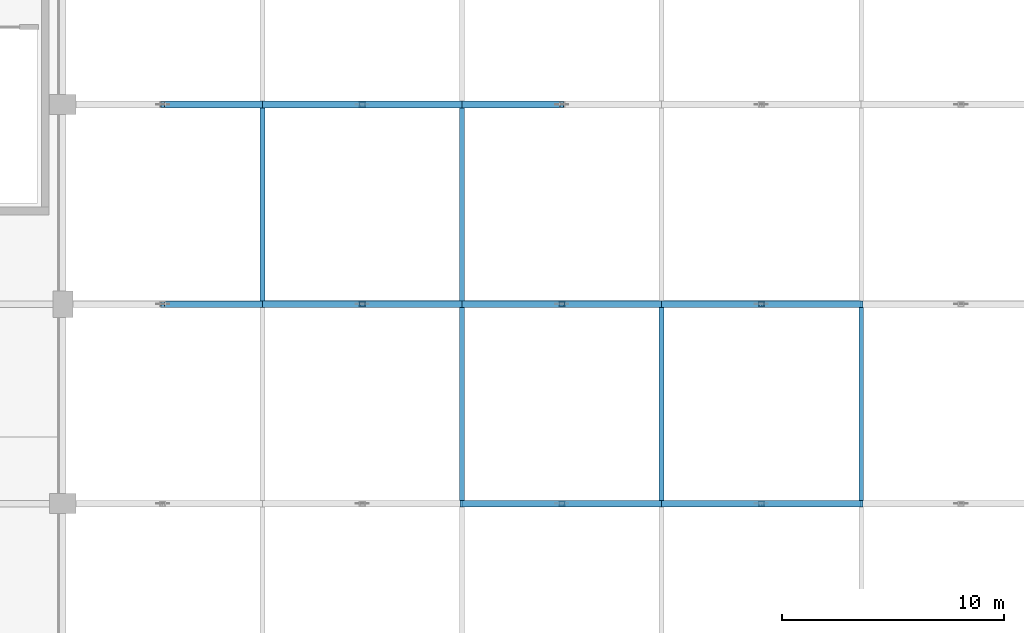
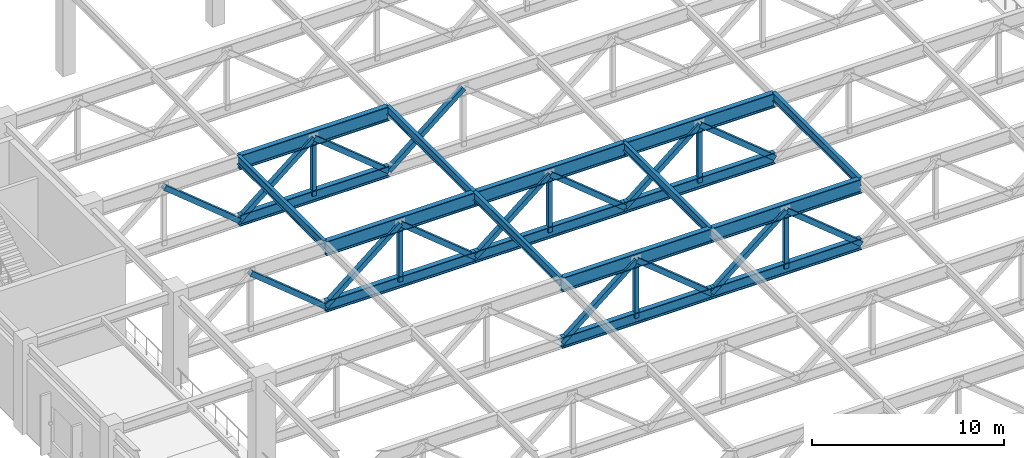
# One storey, part 22 of 223: 21 members, 17 beams.
"""IFC4 building model written with IfcOpenShell, lengths in metres."""

from ifc_helpers import new_model, si_unit, direction, frame, origin, origin_2d, place, context, subcontext, project, spatial, hollow_rectangle, i_section, extrude, material, material_profile, profile_set, type_object, element, save


model = new_model("IFC4")

# Units and contexts
model_context = context("Model", 3, precision=1e-05, world=origin(), true_north=direction((0.0, 1.0)))
body_context = subcontext(model_context, "Body", "Model", "MODEL_VIEW")
ifc_project = project(units=[si_unit("LENGTHUNIT", "METRE"), si_unit("AREAUNIT", "SQUARE_METRE"), si_unit("VOLUMEUNIT", "CUBIC_METRE"), si_unit("PLANEANGLEUNIT", "RADIAN"), si_unit("MASSUNIT", "GRAM", prefix="KILO")], contexts=[model_context])

# Site, building, storey
site_placement = place(None, origin())
site = spatial("IfcSite", under=ifc_project, at=site_placement, CompositionType="ELEMENT")
building_placement = place(site_placement, origin())
building = spatial("IfcBuilding", under=site, at=building_placement, Name="Dornveld Trade and Exhibition Forum", CompositionType="ELEMENT")
storey_placement = place(building_placement, frame((0.0, 0.0, 6.0)))
storey = spatial("IfcBuildingStorey", under=building, at=storey_placement, Name="L01", CompositionType="ELEMENT", Elevation=6.0)

# Beams
ifc_material_1 = material(Name="Steel S355J2", Category="steel")
ifc_material_profile_1 = material_profile(ifc_material_1, i_section(OverallWidth=0.2099609375, OverallDepth=0.550048828125, WebThickness=0.010986328125, FlangeThickness=0.01708984375, FilletRadius=0.02392578125, at=origin_2d()), Name="IPE 550")
ifc_profile_set_1 = profile_set([ifc_material_profile_1], Name="Steel S355J2")
beam_type_1 = type_object("IfcBeamType", Name="BM-SEC-550", PredefinedType="BEAM", material=ifc_profile_set_1)
for number, where, z_axis, x_axis, name in (
    (1, (36.0, 108.0, 5.364990234375), (0.0, 1.0, 0.0), (-1.0, 0.0, 0.0), "Hall 3 secondary deck beam 1382"),
    (2, (45.0, 99.0, 5.364990234375), (0.0, 1.0, 0.0), (-1.0, 0.0, 0.0), "Hall 3 secondary deck beam 1392"),
    (3, (45.0, 108.0, 5.364990234375), (0.0, 1.0, 0.0), (-1.0, 0.0, 0.0), "Hall 3 secondary deck beam 1393"),
    (4, (54.0, 99.0, 5.364990234375), (0.0, 1.0, 0.0), (-1.0, 0.0, 0.0), "Hall 3 secondary deck beam 1403"),
    (5, (63.0, 99.0, 5.364990234375), (0.0, 1.0, 0.0), (-1.0, 0.0, 0.0), "Hall 3 secondary deck beam 1414"),
):
    element("IfcBeam", number, at=place(storey_placement, frame(where, z_axis=z_axis, x_axis=x_axis)), inside=storey, type_object=beam_type_1, Name=name, PredefinedType="BEAM", context=body_context, shape_type="SweptSolid", body=[
        extrude(i_section(OverallWidth=0.2099609375, OverallDepth=0.550048828125, WebThickness=0.010986328125, FlangeThickness=0.01708984375, FilletRadius=0.02392578125, at=origin_2d()), origin(), (0.0, 0.0, 1.0), 9.0),
    ])
ifc_material_2 = material(Name="Steel S355J2", Category="steel")
ifc_material_profile_2 = material_profile(ifc_material_2, i_section(OverallWidth=0.303955078125, OverallDepth=0.716064453125, WebThickness=0.02099609375, FlangeThickness=0.0400390625, FilletRadius=0.027099609375, at=origin_2d()), Name="HEM 700")
ifc_profile_set_2 = profile_set([ifc_material_profile_2], Name="Steel S355J2")
beam_type_2 = type_object("IfcBeamType", Name="BM-TG-BOT700", PredefinedType="USERDEFINED", material=ifc_profile_set_2)
for number, where, z_axis, x_axis, name in (
    (6, (45.0, 99.0, 1.5), (1.0, 0.0, 0.0), (0.0, 1.0, 0.0), "Hall 3 transfer truss 7 bottom chord 3"),
    (7, (54.0, 99.0, 1.5), (1.0, 0.0, 0.0), (0.0, 1.0, 0.0), "Hall 3 transfer truss 7 bottom chord 4"),
    (8, (36.0, 108.0, 1.5), (1.0, 0.0, 0.0), (0.0, 1.0, 0.0), "Hall 3 transfer truss 8 bottom chord 2"),
    (9, (45.0, 108.0, 1.5), (1.0, 0.0, 0.0), (0.0, 1.0, 0.0), "Hall 3 transfer truss 8 bottom chord 3"),
    (10, (54.0, 108.0, 1.5), (1.0, 0.0, 0.0), (0.0, 1.0, 0.0), "Hall 3 transfer truss 8 bottom chord 4"),
    (11, (36.0, 117.0, 1.5), (1.0, 0.0, 0.0), (0.0, 1.0, 0.0), "Hall 3 transfer truss 9 bottom chord 2"),
):
    element("IfcBeam", number, at=place(storey_placement, frame(where, z_axis=z_axis, x_axis=x_axis)), inside=storey, type_object=beam_type_2, Name=name, ObjectType="GIRDER", PredefinedType="USERDEFINED", context=body_context, shape_type="SweptSolid", body=[
        extrude(i_section(OverallWidth=0.303955078125, OverallDepth=0.716064453125, WebThickness=0.02099609375, FlangeThickness=0.0400390625, FilletRadius=0.027099609375, at=origin_2d()), origin(), (0.0, 0.0, 1.0), 9.0),
    ])
ifc_material_3 = material(Name="Steel S355J2", Category="steel")
ifc_material_profile_3 = material_profile(ifc_material_3, i_section(OverallWidth=0.302001953125, OverallDepth=0.909912109375, WebThickness=0.02099609375, FlangeThickness=0.0400390625, FilletRadius=0.030029296875, at=origin_2d()), Name="HEM 900")
ifc_profile_set_3 = profile_set([ifc_material_profile_3], Name="Steel S355J2")
beam_type_3 = type_object("IfcBeamType", Name="BM-TG-TOP900", PredefinedType="USERDEFINED", material=ifc_profile_set_3)
for number, where, z_axis, x_axis, name in (
    (12, (45.0, 99.0, 5.18505859375), (1.0, 0.0, 0.0), (0.0, 1.0, 0.0), "Hall 3 transfer truss 7 top chord 3"),
    (13, (54.0, 99.0, 5.18505859375), (1.0, 0.0, 0.0), (0.0, 1.0, 0.0), "Hall 3 transfer truss 7 top chord 4"),
    (14, (36.0, 108.0, 5.18505859375), (1.0, 0.0, 0.0), (0.0, 1.0, 0.0), "Hall 3 transfer truss 8 top chord 2"),
    (15, (45.0, 108.0, 5.18505859375), (1.0, 0.0, 0.0), (0.0, 1.0, 0.0), "Hall 3 transfer truss 8 top chord 3"),
    (16, (54.0, 108.0, 5.18505859375), (1.0, 0.0, 0.0), (0.0, 1.0, 0.0), "Hall 3 transfer truss 8 top chord 4"),
    (17, (36.0, 117.0, 5.18505859375), (1.0, 0.0, 0.0), (0.0, 1.0, 0.0), "Hall 3 transfer truss 9 top chord 2"),
):
    element("IfcBeam", number, at=place(storey_placement, frame(where, z_axis=z_axis, x_axis=x_axis)), inside=storey, type_object=beam_type_3, Name=name, ObjectType="GIRDER", PredefinedType="USERDEFINED", context=body_context, shape_type="SweptSolid", body=[
        extrude(i_section(OverallWidth=0.302001953125, OverallDepth=0.909912109375, WebThickness=0.02099609375, FlangeThickness=0.0400390625, FilletRadius=0.030029296875, at=origin_2d()), origin(), (0.0, 0.0, 1.0), 9.0),
    ])

# Members
ifc_material_4 = material(Name="Steel S355J2", Category="steel")
ifc_material_profile_4 = material_profile(ifc_material_4, hollow_rectangle(XDim=0.25, YDim=0.25, WallThickness=0.012451171875, at=origin_2d()), Name="SHS 250x250x12.5")
ifc_profile_set_4 = profile_set([ifc_material_profile_4], Name="Steel S355J2")
member_type_1 = type_object("IfcMemberType", Name="MEM-XFER-STR", PredefinedType="STRUT", material=ifc_profile_set_4)
for number, where, z_axis, x_axis, name in (
    (18, (49.5, 99.0, 1.5), (0.0, 0.0, 1.0), (1.0, 0.0, 0.0), "Transfer truss 7 strut 117"),
    (19, (58.5, 99.0, 1.5), (0.0, 0.0, 1.0), (1.0, 0.0, 0.0), "Transfer truss 7 strut 120"),
    (20, (40.5, 108.0, 1.5), (0.0, 0.0, 1.0), (1.0, 0.0, 0.0), "Transfer truss 8 strut 132"),
    (21, (49.5, 108.0, 1.5), (0.0, 0.0, 1.0), (1.0, 0.0, 0.0), "Transfer truss 8 strut 135"),
    (22, (58.5, 108.0, 1.5), (0.0, 0.0, 1.0), (1.0, 0.0, 0.0), "Transfer truss 8 strut 138"),
    (23, (40.5, 117.0, 1.5), (0.0, 0.0, 1.0), (1.0, 0.0, 0.0), "Transfer truss 9 strut 150"),
):
    element("IfcMember", number, at=place(storey_placement, frame(where, z_axis=z_axis, x_axis=x_axis)), inside=storey, type_object=member_type_1, Name=name, PredefinedType="STRUT", context=body_context, shape_type="SweptSolid", body=[
        extrude(hollow_rectangle(XDim=0.25, YDim=0.25, WallThickness=0.012451171875, at=origin_2d()), origin(), (0.0, 0.0, 1.0), 3.68505859375),
    ])
ifc_material_5 = material(Name="Steel S355J2", Category="steel")
ifc_material_profile_5 = material_profile(ifc_material_5, hollow_rectangle(XDim=0.300048828125, YDim=0.300048828125, WallThickness=0.01611328125, at=origin_2d()), Name="SHS 300x300x16")
ifc_profile_set_5 = profile_set([ifc_material_profile_5], Name="Steel S355J2")
member_type_2 = type_object("IfcMemberType", Name="MEM-XFER-WEB", PredefinedType="BRACE", material=ifc_profile_set_5)
for number, where, z_axis, x_axis, name in (
    (24, (45.0, 99.0, 1.5), (0.773684181611, 0.0, 0.633571453843), (0.0, 1.0, 0.0), "Transfer truss 7 web 115"),
    (25, (54.0, 99.0, 1.5), (-0.773684181611, 0.0, 0.633571453843), (0.0, -1.0, 0.0), "Transfer truss 7 web 116"),
    (26, (54.0, 99.0, 1.5), (0.773684181611, 0.0, 0.633571453843), (0.0, 1.0, 0.0), "Transfer truss 7 web 118"),
    (27, (63.0, 99.0, 1.5), (-0.773684181611, 0.0, 0.633571453843), (0.0, -1.0, 0.0), "Transfer truss 7 web 119"),
    (28, (36.0, 108.0, 1.5), (-0.773684181611, 0.0, 0.633571453843), (0.0, -1.0, 0.0), "Transfer truss 8 web 128"),
    (29, (36.0, 108.0, 1.5), (0.773684181611, 0.0, 0.633571453843), (0.0, 1.0, 0.0), "Transfer truss 8 web 130"),
    (30, (45.0, 108.0, 1.5), (-0.773684181611, 0.0, 0.633571453843), (0.0, -1.0, 0.0), "Transfer truss 8 web 131"),
    (31, (45.0, 108.0, 1.5), (0.773684181611, 0.0, 0.633571453843), (0.0, 1.0, 0.0), "Transfer truss 8 web 133"),
    (32, (54.0, 108.0, 1.5), (-0.773684181611, 0.0, 0.633571453843), (0.0, -1.0, 0.0), "Transfer truss 8 web 134"),
    (33, (54.0, 108.0, 1.5), (0.773684181611, 0.0, 0.633571453843), (0.0, 1.0, 0.0), "Transfer truss 8 web 136"),
    (34, (63.0, 108.0, 1.5), (-0.773684181611, 0.0, 0.633571453843), (0.0, -1.0, 0.0), "Transfer truss 8 web 137"),
    (35, (36.0, 117.0, 1.5), (-0.773684181611, 0.0, 0.633571453843), (0.0, -1.0, 0.0), "Transfer truss 9 web 146"),
    (36, (36.0, 117.0, 1.5), (0.773684181611, 0.0, 0.633571453843), (0.0, 1.0, 0.0), "Transfer truss 9 web 148"),
    (37, (45.0, 117.0, 1.5), (-0.773684181611, 0.0, 0.633571453843), (0.0, -1.0, 0.0), "Transfer truss 9 web 149"),
    (38, (45.0, 117.0, 1.5), (0.773684181611, 0.0, 0.633571453843), (0.0, 1.0, 0.0), "Transfer truss 9 web 151"),
):
    element("IfcMember", number, at=place(storey_placement, frame(where, z_axis=z_axis, x_axis=x_axis)), inside=storey, type_object=member_type_2, Name=name, PredefinedType="BRACE", context=body_context, shape_type="SweptSolid", body=[
        extrude(hollow_rectangle(XDim=0.300048828125, YDim=0.300048828125, WallThickness=0.01611328125, at=origin_2d()), origin(), (0.0, 0.0, 1.0), 5.81640625),
    ])

save(model, "model.ifc")
